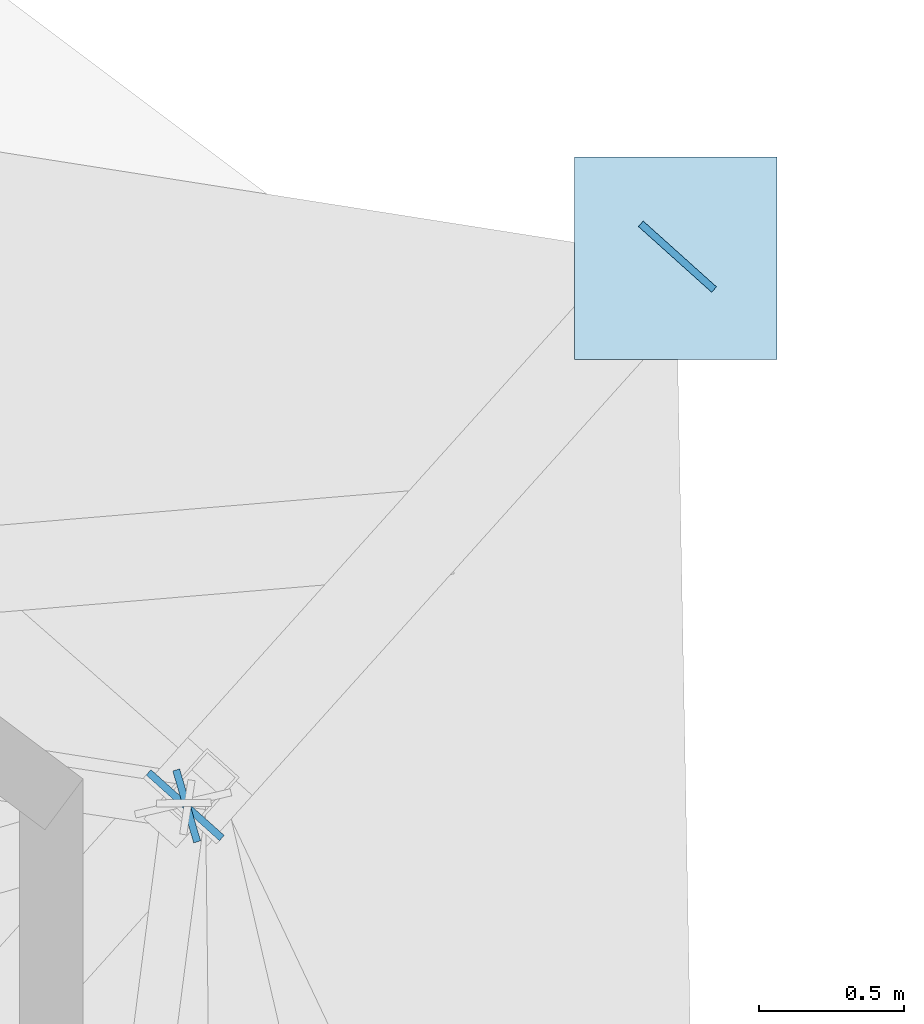
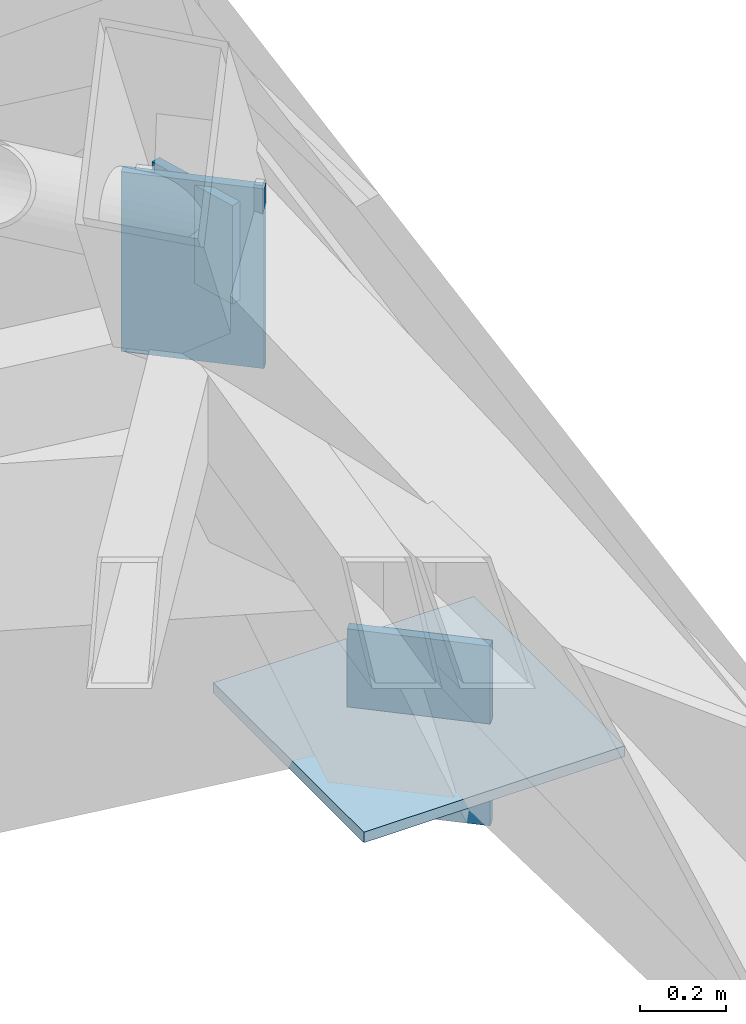
# One storey, part 25 of 30: 4 plates.
"""IFC4 building model written with IfcOpenShell, lengths in metres."""

from ifc_helpers import new_model, si_unit, direction, frame, origin, origin_2d, place, context, subcontext, project, spatial, rectangle, extrude, material, layer, layer_set, type_object, element, save


model = new_model("IFC4")

# Units and contexts
model_context = context("Model", 3, precision=1e-05, world=origin(), true_north=direction((0.0, 1.0)))
body_context = subcontext(model_context, "Body", "Model", "MODEL_VIEW")
ifc_project = project(units=[si_unit("LENGTHUNIT", "METRE"), si_unit("AREAUNIT", "SQUARE_METRE"), si_unit("VOLUMEUNIT", "CUBIC_METRE"), si_unit("PLANEANGLEUNIT", "RADIAN"), si_unit("MASSUNIT", "GRAM", prefix="KILO")], contexts=[model_context])

# Site, building, storey
site_placement = place(None, origin())
site = spatial("IfcSite", under=ifc_project, at=site_placement, CompositionType="ELEMENT")
building_placement = place(site_placement, origin())
building = spatial("IfcBuilding", under=site, at=building_placement, Name="Haolan Belvedere Tower", CompositionType="ELEMENT")
storey_placement = place(building_placement, frame((0.0, 0.0, 333.0)))
storey = spatial("IfcBuildingStorey", under=building, at=storey_placement, Name="L83", CompositionType="ELEMENT", Elevation=333.0)

# Plates
ifc_material = material(Name="Steel Q355B", Category="steel")
ifc_layer_1 = layer(ifc_material, 0.02490234375, Name="Steel Q355B")
ifc_layer_set_1 = layer_set([ifc_layer_1], Name="Steel Q355B")
plate_type_1 = type_object("IfcPlateType", Name="PL-CAP-25", PredefinedType="SHEET", material=ifc_layer_set_1)
for number, where, z_axis, x_axis, name in (
    (1, (48.455322265625, 47.805908203125, 4.515625), (0.0, 0.0, 1.0), (-0.744288234024, 0.667858536438, 0.0), "Hollow steel end-cap plate CRN-RAF-T1-07-CAP0"),
    (2, (46.753173828125, 45.908935546875, 7.55859375), (0.0, 0.0, 1.0), (-0.744288234024, 0.667858536438, 0.0), "Hollow steel end-cap plate CRN-RAF-T2-07-CAP0"),
):
    element("IfcPlate", number, at=place(storey_placement, frame(where, z_axis=z_axis, x_axis=x_axis)), inside=storey, type_object=plate_type_1, Name=name, PredefinedType="SHEET", context=body_context, shape_type="SweptSolid", body=[
        extrude(rectangle(XDim=0.340087890625, YDim=0.02490234375, at=origin_2d()), origin(), (0.0, 0.0, 1.0), 0.510009765625),
    ])
plate_1_placement = place(storey_placement, frame((46.75830078125, 45.90673828125, 7.77734375), z_axis=(0.0, 0.0, 1.0), x_axis=(-0.27939332843, 0.960176737913, 0.0)))
element("IfcPlate", 3, at=plate_1_placement, inside=storey, type_object=plate_type_1, Name="Hollow steel end-cap plate CRN-DIAG-T2-07-CAP0", PredefinedType="SHEET", context=body_context, shape_type="SweptSolid", body=[
    extrude(rectangle(XDim=0.259033203125, YDim=0.02490234375, at=origin_2d()), origin(), (0.0, 0.0, 1.0), 0.279052734375),
])
ifc_layer_2 = layer(ifc_material, 0.030029296875, Name="Steel Q355B")
ifc_layer_set_2 = layer_set([ifc_layer_2], Name="Steel Q355B")
plate_type_2 = type_object("IfcPlateType", Name="PL-NODE-NP04", PredefinedType="USERDEFINED", material=ifc_layer_set_2)
plate_2_placement = place(storey_placement, frame((48.449951171875, 47.800048828125, 4.77490234375), z_axis=(0.0, 0.0, 1.0), x_axis=(1.0, 0.0, 0.0)))
element("IfcPlate", 4, at=plate_2_placement, inside=storey, type_object=plate_type_2, Name="NP-04 crown hip base node plate 06", ObjectType="GUSSET", PredefinedType="USERDEFINED", context=body_context, shape_type="SweptSolid", body=[
    extrude(rectangle(XDim=0.699951171875, YDim=0.699951171875, at=origin_2d()), origin(), (0.0, 0.0, 1.0), 0.030029296875),
])

save(model, "model.ifc")
